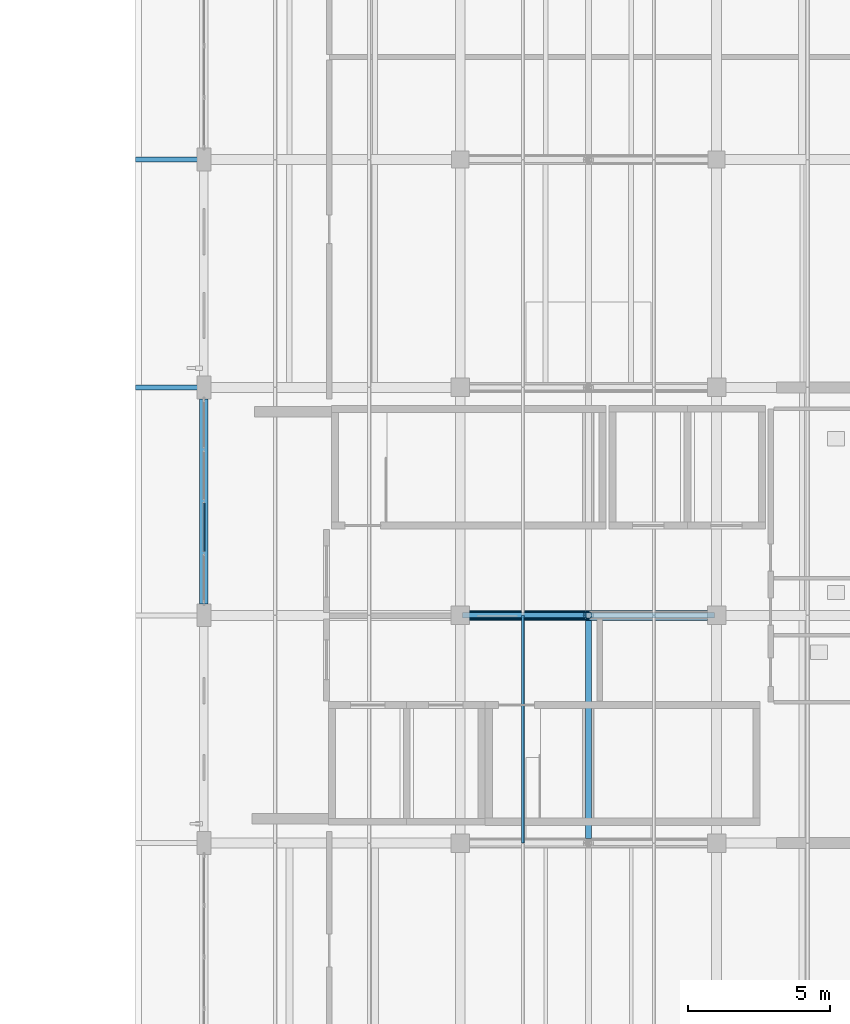
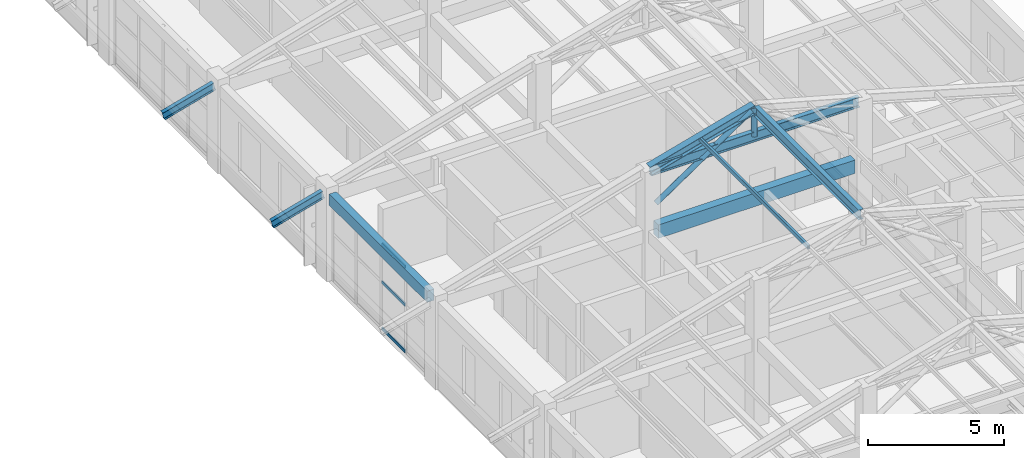
# One storey, part 19 of 58: 7 members, 6 beams, 1 element without a shape of its own.
"""IFC4 building model written with IfcOpenShell, lengths in metres."""

from ifc_helpers import new_model, si_unit, derived_unit, direction, frame, origin, origin_2d, place, context, subcontext, project, spatial, rectangle, hollow_rectangle, hollow_circle, i_section, extrude, material, material_profile, profile_set, type_object, element, aggregate, save


model = new_model("IFC4")

# Units and contexts
model_context = context("Model", 3, precision=1e-05, world=origin(), true_north=direction((0.0, 1.0)))
body_context = subcontext(model_context, "Body", "Model", "MODEL_VIEW")
ifc_project = project(units=[si_unit("LENGTHUNIT", "METRE"), si_unit("AREAUNIT", "SQUARE_METRE"), si_unit("VOLUMEUNIT", "CUBIC_METRE"), si_unit("PLANEANGLEUNIT", "RADIAN"), si_unit("MASSUNIT", "GRAM", prefix="KILO"), derived_unit("THERMALTRANSMITTANCEUNIT", [(si_unit("MASSUNIT", "GRAM", prefix="KILO"), 1), (si_unit("TIMEUNIT", "SECOND"), -3), (si_unit("THERMODYNAMICTEMPERATUREUNIT", "KELVIN"), -1)])], contexts=[model_context])

# Site, building, storey
site_placement = place(None, origin())
site = spatial("IfcSite", under=ifc_project, at=site_placement, CompositionType="ELEMENT")
building_placement = place(site_placement, origin())
building = spatial("IfcBuilding", under=site, at=building_placement, Name="Zhenchuan Archway Interchange", CompositionType="ELEMENT")
storey_placement = place(building_placement, frame((0.0, 0.0, 22.800048828125)))
storey = spatial("IfcBuildingStorey", under=building, at=storey_placement, Name="L05", CompositionType="ELEMENT", Elevation=22.800048828125)

# Beams
ifc_material_1 = material(Name="Concrete C40", Category="concrete")
ifc_material_profile_1 = material_profile(ifc_material_1, rectangle(XDim=0.35009765625, YDim=0.60009765625, at=origin_2d()), Name="RC 350x600")
ifc_profile_set_1 = profile_set([ifc_material_profile_1], Name="Concrete C40")
beam_type_1 = type_object("IfcBeamType", Name="BM_RC_350x600", PredefinedType="BEAM", material=ifc_profile_set_1)
beam_1_placement = place(storey_placement, frame((153.324951171875, 56.0, 3.619873046875), z_axis=(1.0, 0.0, 0.0), x_axis=(0.0, 1.0, 0.0)))
element("IfcBeam", 1, at=beam_1_placement, inside=storey, type_object=beam_type_1, Name="Beam H:18-19 (L05)", PredefinedType="BEAM", context=body_context, shape_type="SweptSolid", body=[
    extrude(rectangle(XDim=0.35009765625, YDim=0.60009765625, at=origin_2d()), origin(), (0.0, 0.0, 1.0), 8.35009765625),
])
ifc_material_2 = material(Name="Steel Q355", Category="steel")
ifc_material_profile_2 = material_profile(ifc_material_2, i_section(OverallWidth=0.175048828125, OverallDepth=0.35009765625, WebThickness=0.007080078125, FlangeThickness=0.010986328125, FilletRadius=0.013916015625, at=origin_2d()), Name="HN 350x175")
ifc_profile_set_2 = profile_set([ifc_material_profile_2], Name="Steel Q355")
beam_type_2 = type_object("IfcBeamType", Name="BM_STL_EAVE_HN350", PredefinedType="BEAM", material=ifc_profile_set_2)
for number, where, z_axis, x_axis, name in (
    (2, (143.820068359375, 64.0, 3.719970703125), (-0.963829493521, 0.0, -0.266519619201), (0.0, -1.0, 0.0), "Command wing west storm-eave bracket T6"),
    (3, (143.820068359375, 72.0, 3.719970703125), (-0.963829493521, 0.0, -0.266519619201), (0.0, -1.0, 0.0), "Command wing west storm-eave bracket T7"),
):
    element("IfcBeam", number, at=place(storey_placement, frame(where, z_axis=z_axis, x_axis=x_axis)), inside=storey, type_object=beam_type_2, Name=name, PredefinedType="BEAM", context=body_context, shape_type="SweptSolid", body=[
        extrude(i_section(OverallWidth=0.175048828125, OverallDepth=0.35009765625, WebThickness=0.007080078125, FlangeThickness=0.010986328125, FilletRadius=0.013916015625, at=origin_2d()), origin(), (0.0, 0.0, 1.0), 2.251708984375),
    ])
ifc_material_profile_3 = material_profile(ifc_material_2, i_section(OverallWidth=0.300048828125, OverallDepth=0.389892578125, WebThickness=0.010009765625, FlangeThickness=0.01611328125, FilletRadius=0.02001953125, at=origin_2d()), Name="HM 390x300")
ifc_profile_set_3 = profile_set([ifc_material_profile_3], Name="Steel Q355")
beam_type_3 = type_object("IfcBeamType", Name="BM_STL_HM390", PredefinedType="BEAM", material=ifc_profile_set_3)
beam_2_placement = place(storey_placement, frame((153.050048828125, 56.0, 6.419921875), z_axis=(0.964108539649, 0.0, 0.265508425055), x_axis=(0.0, 1.0, 0.0)))
element("IfcBeam", 4, at=beam_2_placement, inside=storey, type_object=beam_type_3, Name="ROOF TRUSS command wing T5 west apex rafter", PredefinedType="BEAM", context=body_context, shape_type="SweptSolid", body=[
    extrude(i_section(OverallWidth=0.300048828125, OverallDepth=0.389892578125, WebThickness=0.010009765625, FlangeThickness=0.01611328125, FilletRadius=0.02001953125, at=origin_2d()), origin(), (0.0, 0.0, 1.0), 4.5947265625),
])
ifc_material_profile_4 = material_profile(ifc_material_2, i_section(OverallWidth=0.199951171875, OverallDepth=0.449951171875, WebThickness=0.009033203125, FlangeThickness=0.013916015625, FilletRadius=0.01806640625, at=origin_2d()), Name="HN 450x200")
ifc_profile_set_4 = profile_set([ifc_material_profile_4], Name="Steel Q355")
beam_type_4 = type_object("IfcBeamType", Name="BM_STL_HN450", PredefinedType="BEAM", material=ifc_profile_set_4)
beam_3_placement = place(storey_placement, frame((157.5, 48.159912109375, 7.579833984375), z_axis=(0.0, 1.0, 0.0), x_axis=(-1.0, 0.0, 0.0)))
element("IfcBeam", 5, at=beam_3_placement, inside=storey, type_object=beam_type_4, Name="Command wing ridge girder 4", PredefinedType="BEAM", context=body_context, shape_type="SweptSolid", body=[
    extrude(i_section(OverallWidth=0.199951171875, OverallDepth=0.449951171875, WebThickness=0.009033203125, FlangeThickness=0.013916015625, FilletRadius=0.01806640625, at=origin_2d()), origin(), (0.0, 0.0, 1.0), 7.68017578125),
])

# Curtain wall, members
ifc_material_3 = material(Name="Anodised Aluminium", Category="aluminium")
curtain_wall_type = type_object("IfcCurtainWallType", Name="CW_UNIT_4", PredefinedType="NOTDEFINED", material=ifc_material_3)
curtain_wall_placement = place(storey_placement, origin())
curtain_wall = element("IfcCurtainWall", 6, at=curtain_wall_placement, inside=storey, type_object=curtain_wall_type, Name="Unitised curtain wall CW:L05:203", PredefinedType="NOTDEFINED")
ifc_material_profile_5 = material_profile(ifc_material_3, hollow_rectangle(XDim=0.06005859375, YDim=0.139892578125, WallThickness=0.00341796875, InnerFilletRadius=0.00341796875, OuterFilletRadius=0.007080078125, at=origin_2d()), Name="ALU 140x60x3.5")
ifc_profile_set_5 = profile_set([ifc_material_profile_5], Name="Anodised Aluminium")
member_type_1 = type_object("IfcMemberType", Name="CW_TRN_140", PredefinedType="USERDEFINED", material=ifc_profile_set_5)
member_1_placement = place(storey_placement, frame((144.0, 58.243896484375, 0.06005859375), z_axis=(0.0, 1.0, 0.0), x_axis=(-1.0, 0.0, 0.0)))
member_1 = element("IfcMember", 7, at=member_1_placement, type_object=member_type_1, Name="CW:L05:203 transom 1-1", ObjectType="TRANSOM", PredefinedType="USERDEFINED", context=body_context, shape_type="SweptSolid", body=[
    extrude(hollow_rectangle(XDim=0.06005859375, YDim=0.139892578125, WallThickness=0.00341796875, InnerFilletRadius=0.00341796875, OuterFilletRadius=0.007080078125, at=origin_2d()), origin(), (0.0, 0.0, 1.0), 1.696044921875),
])
member_2_placement = place(storey_placement, frame((144.0, 58.243896484375, 2.14501953125), z_axis=(0.0, 1.0, 0.0), x_axis=(-1.0, 0.0, 0.0)))
member_2 = element("IfcMember", 8, at=member_2_placement, type_object=member_type_1, Name="CW:L05:203 transom 1-2", ObjectType="TRANSOM", PredefinedType="USERDEFINED", context=body_context, shape_type="SweptSolid", body=[
    extrude(hollow_rectangle(XDim=0.06005859375, YDim=0.139892578125, WallThickness=0.00341796875, InnerFilletRadius=0.00341796875, OuterFilletRadius=0.007080078125, at=origin_2d()), origin(), (0.0, 0.0, 1.0), 1.696044921875),
])
member_3_placement = place(storey_placement, frame((144.0, 58.243896484375, 3.83984375), z_axis=(0.0, 1.0, 0.0), x_axis=(-1.0, 0.0, 0.0)))
member_3 = element("IfcMember", 9, at=member_3_placement, type_object=member_type_1, Name="CW:L05:203 transom 1-3", ObjectType="TRANSOM", PredefinedType="USERDEFINED", context=body_context, shape_type="SweptSolid", body=[
    extrude(hollow_rectangle(XDim=0.06005859375, YDim=0.139892578125, WallThickness=0.00341796875, InnerFilletRadius=0.00341796875, OuterFilletRadius=0.007080078125, at=origin_2d()), origin(), (0.0, 0.0, 1.0), 1.696044921875),
])
aggregate(curtain_wall, [member_1, member_2, member_3])

# Members
ifc_material_profile_6 = material_profile(ifc_material_2, i_section(OverallWidth=0.199951171875, OverallDepth=0.449951171875, WebThickness=0.009033203125, FlangeThickness=0.013916015625, FilletRadius=0.01806640625, at=origin_2d()), Name="HN 450x200")
ifc_profile_set_6 = profile_set([ifc_material_profile_6], Name="Steel Q355")
member_type_2 = type_object("IfcMemberType", Name="MB_CHD_HN450", PredefinedType="CHORD", material=ifc_profile_set_6)
member_4_placement = place(storey_placement, frame((153.080078125, 56.0, 6.3798828125), z_axis=(1.0, 0.0, 0.0), x_axis=(0.0, 1.0, 0.0)))
element("IfcMember", 10, at=member_4_placement, inside=storey, type_object=member_type_2, Name="ROOF TRUSS command wing T5 ridge collar tie", PredefinedType="CHORD", context=body_context, shape_type="SweptSolid", body=[
    extrude(i_section(OverallWidth=0.199951171875, OverallDepth=0.449951171875, WebThickness=0.009033203125, FlangeThickness=0.013916015625, FilletRadius=0.01806640625, at=origin_2d()), origin(), (0.0, 0.0, 1.0), 8.83984375),
])
ifc_material_profile_7 = material_profile(ifc_material_2, hollow_circle(Radius=0.109619140625, WallThickness=0.008056640625, at=origin_2d()), Name="CHS 219x8")
ifc_profile_set_7 = profile_set([ifc_material_profile_7], Name="Steel Q355")
member_type_3 = type_object("IfcMemberType", Name="MB_CHS219", PredefinedType="BRACE", material=ifc_profile_set_7)
member_5_placement = place(storey_placement, frame((153.320068359375, 56.0, 4.800048828125), z_axis=(0.827937334182, 0.0, 0.560820622541), x_axis=(0.0, 1.0, 0.0)))
element("IfcMember", 11, at=member_5_placement, inside=storey, type_object=member_type_3, Name="ROOF TRUSS command wing T5 west apex diagonal", PredefinedType="BRACE", context=body_context, shape_type="SweptSolid", body=[
    extrude(hollow_circle(Radius=0.109619140625, WallThickness=0.008056640625, at=origin_2d()), origin(), (0.0, 0.0, 1.0), 4.903564453125),
])
ifc_material_profile_8 = material_profile(ifc_material_2, hollow_circle(Radius=0.12255859375, WallThickness=0.010009765625, at=origin_2d()), Name="CHS 245x10")
ifc_profile_set_8 = profile_set([ifc_material_profile_8], Name="Steel Q355")
member_type_4 = type_object("IfcMemberType", Name="MB_CHS245", PredefinedType="BRACE", material=ifc_profile_set_8)
member_6_placement = place(storey_placement, frame((157.5, 56.0, 6.3798828125), z_axis=(0.0, 0.0, 1.0), x_axis=(1.0, 0.0, 0.0)))
element("IfcMember", 12, at=member_6_placement, inside=storey, type_object=member_type_4, Name="ROOF TRUSS command wing T5 apex king-post", PredefinedType="BRACE", context=body_context, shape_type="SweptSolid", body=[
    extrude(hollow_circle(Radius=0.12255859375, WallThickness=0.010009765625, at=origin_2d()), origin(), (0.0, 0.0, 1.0), 1.280029296875),
])
ifc_material_profile_9 = material_profile(ifc_material_2, hollow_rectangle(XDim=0.10009765625, YDim=0.179931640625, WallThickness=0.006103515625, InnerFilletRadius=0.006103515625, OuterFilletRadius=0.011962890625, at=origin_2d()), Name="RHS 180x100x6")
ifc_profile_set_9 = profile_set([ifc_material_profile_9], Name="Steel Q355")
member_type_5 = type_object("IfcMemberType", Name="MB_RHS180", PredefinedType="PURLIN", material=ifc_profile_set_9)
member_7_placement = place(storey_placement, frame((155.199951171875, 48.008056640625, 7.02001953125), z_axis=(0.0, 1.0, 0.0), x_axis=(-1.0, 0.0, 0.0)))
element("IfcMember", 13, at=member_7_placement, inside=storey, type_object=member_type_5, Name="Command wing roof purlin B4-P3", PredefinedType="PURLIN", context=body_context, shape_type="SweptSolid", body=[
    extrude(hollow_rectangle(XDim=0.10009765625, YDim=0.179931640625, WallThickness=0.006103515625, InnerFilletRadius=0.006103515625, OuterFilletRadius=0.011962890625, at=origin_2d()), origin(), (0.0, 0.0, 1.0), 7.98388671875),
])

# Beam
ifc_material_profile_10 = material_profile(ifc_material_1, rectangle(XDim=0.300048828125, YDim=0.5, at=origin_2d()), Name="RC 300x500")
ifc_profile_set_10 = profile_set([ifc_material_profile_10], Name="Concrete C40")
beam_type_5 = type_object("IfcBeamType", Name="SP_RC_300x500", PredefinedType="SPANDREL", material=ifc_profile_set_10)
beam_4_placement = place(storey_placement, frame((144.0, 56.39990234375, 3.669921875), z_axis=(0.0, 1.0, 0.0), x_axis=(-1.0, 0.0, 0.0)))
element("IfcBeam", 14, at=beam_4_placement, inside=storey, type_object=beam_type_5, Name="Beam 17:H-J (L05)", PredefinedType="SPANDREL", context=body_context, shape_type="SweptSolid", body=[
    extrude(rectangle(XDim=0.300048828125, YDim=0.5, at=origin_2d()), origin(), (0.0, 0.0, 1.0), 7.2001953125),
])

save(model, "model.ifc")
